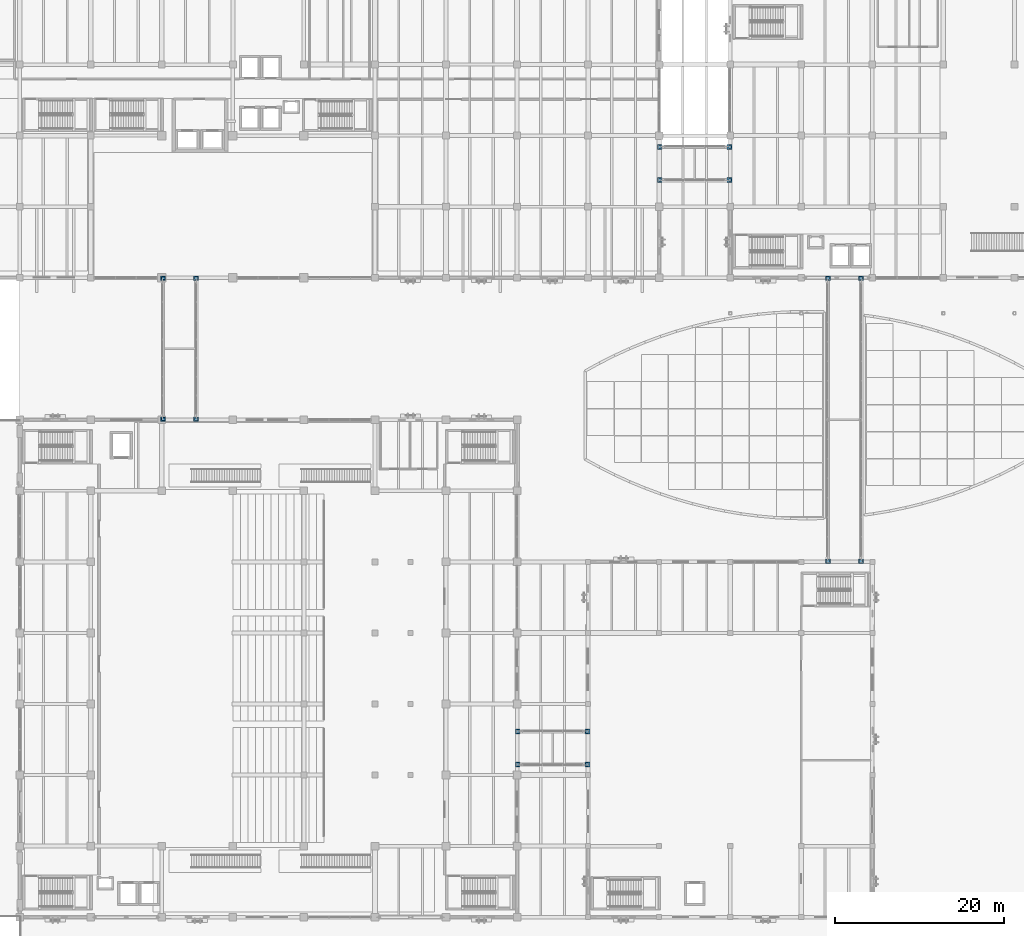
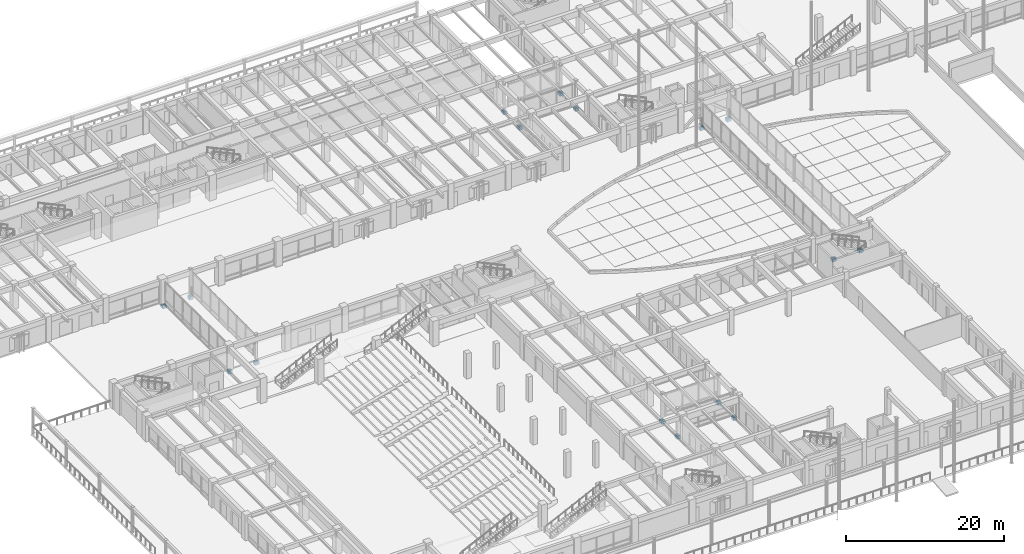
# One storey, part 103 of 135: 32 discrete accessories.
"""IFC4 building model written with IfcOpenShell, lengths in metres."""

from ifc_helpers import new_model, si_unit, direction, frame, origin, origin_2d, place, context, subcontext, project, spatial, rectangle, extrude, material, type_object, element, save


model = new_model("IFC4")

# Units and contexts
model_context = context("Model", 3, precision=1e-05, world=origin(), true_north=direction((0.0, 1.0)))
body_context = subcontext(model_context, "Body", "Model", "MODEL_VIEW")
ifc_project = project(units=[si_unit("LENGTHUNIT", "METRE"), si_unit("AREAUNIT", "SQUARE_METRE"), si_unit("VOLUMEUNIT", "CUBIC_METRE"), si_unit("PLANEANGLEUNIT", "RADIAN"), si_unit("MASSUNIT", "GRAM", prefix="KILO")], contexts=[model_context])

# Site, building, storey
site_placement = place(None, origin())
site = spatial("IfcSite", under=ifc_project, at=site_placement, CompositionType="ELEMENT")
building_placement = place(site_placement, origin())
building = spatial("IfcBuilding", under=site, at=building_placement, Name="Cumbredor Promenade Congress Hotel", CompositionType="ELEMENT")
storey_placement = place(building_placement, origin())
storey = spatial("IfcBuildingStorey", under=building, at=storey_placement, Name="L00", CompositionType="ELEMENT", Elevation=0.0)

# Discrete accessories
ifc_material_1 = material(Name="Concrete C50/60", Category="concrete")
discrete_accessory_type_1 = type_object("IfcDiscreteAccessoryType", Name="Bridge Seat Corbel RC 600x550", PredefinedType="BRACKET", material=ifc_material_1)
for number, where, z_axis, x_axis, name in (
    (1, (25.35009765625, 67.280029296875, -0.7900390625), (0.0, 0.0, 1.0), (0.0, 1.0, 0.0), "L00 West Congress-to-Hotel Glazed Bridge 550mm RC Bridge Seat Corbel 1"),
    (2, (29.25, 67.280029296875, -0.7900390625), (0.0, 0.0, 1.0), (0.0, 1.0, 0.0), "L00 West Congress-to-Hotel Glazed Bridge 550mm RC Bridge Seat Corbel 2"),
    (3, (25.35009765625, 83.919921875, -0.7900390625), (0.0, 0.0, 1.0), (0.0, 1.0, 0.0), "L00 West Congress-to-Hotel Glazed Bridge 550mm RC Bridge Seat Corbel 3"),
    (4, (29.25, 83.919921875, -0.7900390625), (0.0, 0.0, 1.0), (0.0, 1.0, 0.0), "L00 West Congress-to-Hotel Glazed Bridge 550mm RC Bridge Seat Corbel 4"),
    (5, (67.280029296875, 26.449951171875, -0.7900390625), (0.0, 0.0, 1.0), (1.0, 0.0, 0.0), "L00 Central Plenary-to-Spa Pool Bridge 550mm RC Bridge Seat Corbel 1"),
    (6, (67.280029296875, 30.35009765625, -0.7900390625), (0.0, 0.0, 1.0), (1.0, 0.0, 0.0), "L00 Central Plenary-to-Spa Pool Bridge 550mm RC Bridge Seat Corbel 2"),
    (7, (75.52001953125, 26.449951171875, -0.7900390625), (0.0, 0.0, 1.0), (1.0, 0.0, 0.0), "L00 Central Plenary-to-Spa Pool Bridge 550mm RC Bridge Seat Corbel 3"),
    (8, (75.52001953125, 30.35009765625, -0.7900390625), (0.0, 0.0, 1.0), (1.0, 0.0, 0.0), "L00 Central Plenary-to-Spa Pool Bridge 550mm RC Bridge Seat Corbel 4"),
    (9, (103.949951171875, 50.47998046875, -0.7900390625), (0.0, 0.0, 1.0), (0.0, 1.0, 0.0), "L00 Central Reflecting-Pool Promenade Bridge 550mm RC Bridge Seat Corbel 1"),
    (10, (107.85009765625, 50.47998046875, -0.7900390625), (0.0, 0.0, 1.0), (0.0, 1.0, 0.0), "L00 Central Reflecting-Pool Promenade Bridge 550mm RC Bridge Seat Corbel 2"),
    (11, (103.949951171875, 83.919921875, -0.7900390625), (0.0, 0.0, 1.0), (0.0, 1.0, 0.0), "L00 Central Reflecting-Pool Promenade Bridge 550mm RC Bridge Seat Corbel 3"),
    (12, (107.85009765625, 83.919921875, -0.7900390625), (0.0, 0.0, 1.0), (0.0, 1.0, 0.0), "L00 Central Reflecting-Pool Promenade Bridge 550mm RC Bridge Seat Corbel 4"),
    (13, (84.080078125, 95.550048828125, -0.7900390625), (0.0, 0.0, 1.0), (1.0, 0.0, 0.0), "L00 North Hotel-to-Forum Glazed Bridge 550mm RC Bridge Seat Corbel 1"),
    (14, (84.080078125, 99.449951171875, -0.7900390625), (0.0, 0.0, 1.0), (1.0, 0.0, 0.0), "L00 North Hotel-to-Forum Glazed Bridge 550mm RC Bridge Seat Corbel 2"),
    (15, (92.320068359375, 95.550048828125, -0.7900390625), (0.0, 0.0, 1.0), (1.0, 0.0, 0.0), "L00 North Hotel-to-Forum Glazed Bridge 550mm RC Bridge Seat Corbel 3"),
    (16, (92.320068359375, 99.449951171875, -0.7900390625), (0.0, 0.0, 1.0), (1.0, 0.0, 0.0), "L00 North Hotel-to-Forum Glazed Bridge 550mm RC Bridge Seat Corbel 4"),
):
    element("IfcDiscreteAccessory", number, at=place(storey_placement, frame(where, z_axis=z_axis, x_axis=x_axis)), inside=storey, type_object=discrete_accessory_type_1, Name=name, PredefinedType="BRACKET", context=body_context, shape_type="SweptSolid", body=[
        extrude(rectangle(XDim=0.550048828125, YDim=0.60009765625, at=origin_2d()), origin(), (0.0, 0.0, 1.0), 0.449951171875),
    ])
ifc_material_2 = material(Name="Steel ASTM A572 Grade 50", Category="steel")
discrete_accessory_type_2 = type_object("IfcDiscreteAccessoryType", Name="Bridge Unguided PTFE Sliding Bearing BRG-01", PredefinedType="SHOE", material=ifc_material_2)
for number, where, z_axis, x_axis, name in (
    (17, (25.35009765625, 67.280029296875, -0.340087890625), (0.0, 0.0, 1.0), (0.0, 1.0, 0.0), "L00 West Congress-to-Hotel Glazed Bridge Unguided PTFE Sliding Bearing BRG-01"),
    (18, (29.25, 67.280029296875, -0.340087890625), (0.0, 0.0, 1.0), (0.0, 1.0, 0.0), "L00 West Congress-to-Hotel Glazed Bridge Unguided PTFE Sliding Bearing BRG-01"),
    (19, (25.35009765625, 83.919921875, -0.340087890625), (0.0, 0.0, 1.0), (0.0, 1.0, 0.0), "L00 West Congress-to-Hotel Glazed Bridge Unguided PTFE Sliding Bearing BRG-01"),
    (20, (29.25, 83.919921875, -0.340087890625), (0.0, 0.0, 1.0), (0.0, 1.0, 0.0), "L00 West Congress-to-Hotel Glazed Bridge Unguided PTFE Sliding Bearing BRG-01"),
    (21, (67.280029296875, 26.449951171875, -0.340087890625), (0.0, 0.0, 1.0), (1.0, 0.0, 0.0), "L00 Central Plenary-to-Spa Pool Bridge Unguided PTFE Sliding Bearing BRG-01"),
    (22, (67.280029296875, 30.35009765625, -0.340087890625), (0.0, 0.0, 1.0), (1.0, 0.0, 0.0), "L00 Central Plenary-to-Spa Pool Bridge Unguided PTFE Sliding Bearing BRG-01"),
    (23, (75.52001953125, 26.449951171875, -0.340087890625), (0.0, 0.0, 1.0), (1.0, 0.0, 0.0), "L00 Central Plenary-to-Spa Pool Bridge Unguided PTFE Sliding Bearing BRG-01"),
    (24, (75.52001953125, 30.35009765625, -0.340087890625), (0.0, 0.0, 1.0), (1.0, 0.0, 0.0), "L00 Central Plenary-to-Spa Pool Bridge Unguided PTFE Sliding Bearing BRG-01"),
    (25, (103.949951171875, 50.47998046875, -0.340087890625), (0.0, 0.0, 1.0), (0.0, 1.0, 0.0), "L00 Central Reflecting-Pool Promenade Bridge Unguided PTFE Sliding Bearing BRG-01"),
    (26, (107.85009765625, 50.47998046875, -0.340087890625), (0.0, 0.0, 1.0), (0.0, 1.0, 0.0), "L00 Central Reflecting-Pool Promenade Bridge Unguided PTFE Sliding Bearing BRG-01"),
    (27, (103.949951171875, 83.919921875, -0.340087890625), (0.0, 0.0, 1.0), (0.0, 1.0, 0.0), "L00 Central Reflecting-Pool Promenade Bridge Unguided PTFE Sliding Bearing BRG-01"),
    (28, (107.85009765625, 83.919921875, -0.340087890625), (0.0, 0.0, 1.0), (0.0, 1.0, 0.0), "L00 Central Reflecting-Pool Promenade Bridge Unguided PTFE Sliding Bearing BRG-01"),
    (29, (84.080078125, 95.550048828125, -0.340087890625), (0.0, 0.0, 1.0), (1.0, 0.0, 0.0), "L00 North Hotel-to-Forum Glazed Bridge Unguided PTFE Sliding Bearing BRG-01"),
    (30, (84.080078125, 99.449951171875, -0.340087890625), (0.0, 0.0, 1.0), (1.0, 0.0, 0.0), "L00 North Hotel-to-Forum Glazed Bridge Unguided PTFE Sliding Bearing BRG-01"),
    (31, (92.320068359375, 95.550048828125, -0.340087890625), (0.0, 0.0, 1.0), (1.0, 0.0, 0.0), "L00 North Hotel-to-Forum Glazed Bridge Unguided PTFE Sliding Bearing BRG-01"),
    (32, (92.320068359375, 99.449951171875, -0.340087890625), (0.0, 0.0, 1.0), (1.0, 0.0, 0.0), "L00 North Hotel-to-Forum Glazed Bridge Unguided PTFE Sliding Bearing BRG-01"),
):
    element("IfcDiscreteAccessory", number, at=place(storey_placement, frame(where, z_axis=z_axis, x_axis=x_axis)), inside=storey, type_object=discrete_accessory_type_2, Name=name, PredefinedType="SHOE", context=body_context, shape_type="SweptSolid", body=[
        extrude(rectangle(XDim=0.300048828125, YDim=0.39990234375, at=origin_2d()), origin(), (0.0, 0.0, 1.0), 0.1201171875),
    ])

save(model, "model.ifc")
